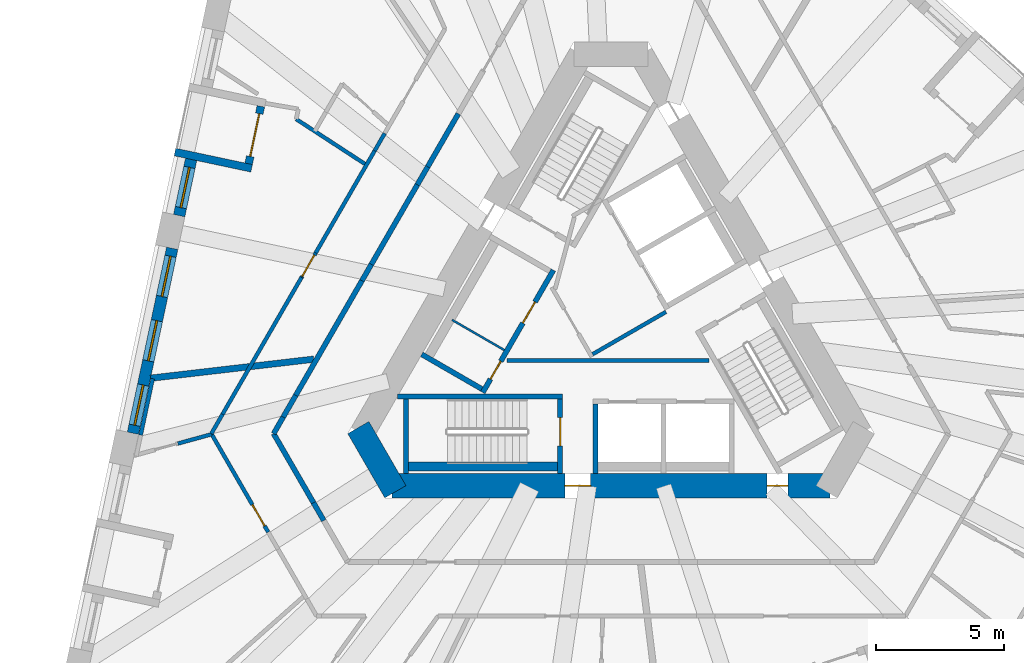
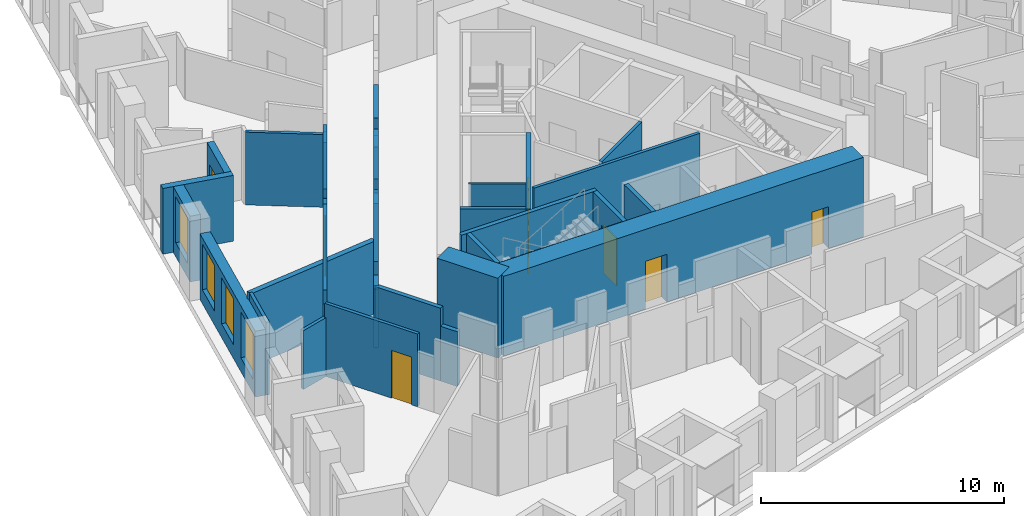
# One storey, part 4 of 13: 35 walls, 8 doors, 4 windows, 12 openings.
"""IFC4 building model written with IfcOpenShell, lengths in metres."""

from ifc_helpers import new_model, si_unit, direction, frame, frame_2d, origin, place, context, subcontext, project, spatial, polyline, rectangle, outline, extrude, material, layer, layer_set, type_object, element, fill, save


model = new_model("IFC4")

# Units and contexts
model_context = context("Model", 3, precision=1e-05, world=origin(), true_north=direction((0.0, 1.0)))
body_context = subcontext(model_context, "Body", "Model", "MODEL_VIEW")
ifc_project = project(units=[si_unit("LENGTHUNIT", "METRE"), si_unit("AREAUNIT", "SQUARE_METRE"), si_unit("VOLUMEUNIT", "CUBIC_METRE"), si_unit("PLANEANGLEUNIT", "RADIAN"), si_unit("MASSUNIT", "GRAM", prefix="KILO")], contexts=[model_context])

# Site, building, storey
site_placement = place(None, origin())
site = spatial("IfcSite", under=ifc_project, at=site_placement, CompositionType="ELEMENT")
building_placement = place(site_placement, origin())
building = spatial("IfcBuilding", under=site, at=building_placement, Name="Tramontana Tower", CompositionType="ELEMENT")
storey_placement = place(building_placement, frame((0.0, 0.0, 108.39990234375)))
storey = spatial("IfcBuildingStorey", under=building, at=storey_placement, Name="L24", CompositionType="ELEMENT", Elevation=108.39990234375)

# Wall
ifc_material_1 = material(Name="Concrete 70 MPa", Category="concrete")
ifc_layer_1 = layer(ifc_material_1, 0.949951171875)
ifc_layer_set_1 = layer_set([ifc_layer_1], Name="Core wall 950 70 MPa")
wall_type_1 = type_object("IfcWallType", Name="Core wall 950 70 MPa", PredefinedType="SHEAR", material=ifc_layer_set_1)
wall_1_placement = place(storey_placement, frame((-9.836669921875, -4.012451171875, 0.0), z_axis=(0.0, 0.0, 1.0), x_axis=(0.499995765644, -0.866027848477, 0.0)))
element("IfcWall", 1, at=wall_1_placement, inside=storey, type_object=wall_type_1, Name="Core wall C2 L24", PredefinedType="SHEAR", context=body_context, shape_type="SweptSolid", body=[
    extrude(rectangle(XDim=2.88671875, YDim=0.949951171875, at=frame_2d((1.443359375, 0.0))), origin(), (0.0, 0.0, 1.0), 4.0),
])

# Wall, openings, doors
wall_2_placement = place(storey_placement, frame((-8.530517578125, -6.27490234375, 0.0), z_axis=(0.0, 0.0, 1.0), x_axis=(1.0, 0.0, 0.0)))
wall_2 = element("IfcWall", 2, at=wall_2_placement, inside=storey, type_object=wall_type_1, Name="Core wall C3 L24", PredefinedType="SHEAR", context=body_context, shape_type="SweptSolid", body=[
    extrude(rectangle(XDim=17.06103515625, YDim=0.949951171875, at=frame_2d((8.530517578125, 0.0))), origin(), (0.0, 0.0, 1.0), 4.0),
])
opening_1_placement = place(wall_2_placement, frame((6.7353515625, 0.0, 0.0)))
opening_1 = element("IfcOpeningElement", 3, at=opening_1_placement, cuts=wall_2, Name="Opening RG2", PredefinedType="OPENING", context=body_context, shape_type="SweptSolid", body=[
    extrude(rectangle(XDim=1.0, YDim=2.39990234375, at=frame_2d((0.5, 1.199951171875))), frame((0.0, 0.48486328125, 0.0), z_axis=(0.0, -1.0, 0.0), x_axis=(1.0, 0.0, 0.0)), (0.0, 0.0, 1.0), 0.969970703125),
])
opening_2_placement = place(wall_2_placement, frame((14.61279296875, 0.0, 0.0)))
opening_2 = element("IfcOpeningElement", 4, at=opening_2_placement, cuts=wall_2, Name="Opening PD2", PredefinedType="OPENING", context=body_context, shape_type="SweptSolid", body=[
    extrude(rectangle(XDim=0.800048828125, YDim=2.10009765625, at=frame_2d((0.39990234375, 1.050048828125))), frame((0.0, 0.48486328125, 0.0), z_axis=(0.0, -1.0, 0.0), x_axis=(1.0, 0.0, 0.0)), (0.0, 0.0, 1.0), 0.969970703125),
])
ifc_material_2 = material(Name="Painted steel", Category="steel")
door_type_1 = type_object("IfcDoorType", Name="CUPBOARD DOOR 800", OperationType="SINGLE_SWING_LEFT", PredefinedType="DOOR", material=ifc_material_2)
door_1_placement = place(opening_2_placement, origin())
door_1 = element("IfcDoor", 5, at=door_1_placement, inside=storey, type_object=door_type_1, Name="Door PD2", OperationType="SINGLE_SWING_LEFT", OverallHeight=2.10009765625, OverallWidth=0.800048828125, PredefinedType="DOOR", context=body_context, shape_type="SweptSolid", body=[
    extrude(rectangle(XDim=0.800048828125, YDim=2.10009765625, at=frame_2d((0.39990234375, 1.050048828125))), frame((0.0, 0.02490234375, 0.0), z_axis=(0.0, -1.0, 0.0), x_axis=(1.0, 0.0, 0.0)), (0.0, 0.0, 1.0), 0.050048828125),
])
fill(opening_2, door_1)
ifc_material_3 = material(Name="Painted steel", Category="steel")
door_type_2 = type_object("IfcDoorType", Name="RING DOOR 1000", OperationType="SINGLE_SWING_LEFT", PredefinedType="DOOR", material=ifc_material_3)
door_2_placement = place(opening_1_placement, origin())
door_2 = element("IfcDoor", 6, at=door_2_placement, inside=storey, type_object=door_type_2, Name="Door RG2", OperationType="SINGLE_SWING_LEFT", OverallHeight=2.39990234375, OverallWidth=1.0, PredefinedType="DOOR", context=body_context, shape_type="SweptSolid", body=[
    extrude(rectangle(XDim=1.0, YDim=2.39990234375, at=frame_2d((0.5, 1.199951171875))), frame((0.0, 0.02490234375, 0.0), z_axis=(0.0, -1.0, 0.0), x_axis=(1.0, 0.0, 0.0)), (0.0, 0.0, 1.0), 0.050048828125),
])
fill(opening_1, door_2)

# Walls
ifc_material_4 = material(Name="Blockwork", Category="masonry")
ifc_layer_2 = layer(ifc_material_4, 0.199951171875)
ifc_layer_set_2 = layer_set([ifc_layer_2], Name="ENTRY WALL 200")
wall_type_2 = type_object("IfcWallType", Name="ENTRY WALL 200", PredefinedType="SOLIDWALL", material=ifc_layer_set_2)
wall_3_placement = place(storey_placement, frame((-11.181884765625, -7.63232421875, 0.0), z_axis=(0.0, 0.0, 1.0), x_axis=(-0.499942357345, 0.866058681229, 0.0)))
element("IfcWall", 7, at=wall_3_placement, inside=storey, type_object=wall_type_2, Name="Wall v21-ew3-2", PredefinedType="SOLIDWALL", context=body_context, shape_type="SweptSolid", body=[
    extrude(rectangle(XDim=0.80078125, YDim=0.199951171875, at=frame_2d((0.400390625, 0.0))), origin(), (0.0, 0.0, 1.0), 2.75),
])
wall_4_placement = place(storey_placement, frame((-11.582275390625, -6.938720703125, 0.0), z_axis=(0.0, 0.0, 1.0), x_axis=(-0.500037831766, 0.866003560503, 0.0)))
element("IfcWall", 8, at=wall_4_placement, inside=storey, type_object=wall_type_2, Name="Wall v21-ew3-3", PredefinedType="SOLIDWALL", context=body_context, shape_type="SweptSolid", body=[
    extrude(rectangle(XDim=3.104736328125, YDim=0.199951171875, at=frame_2d((1.55224609375, 0.0))), origin(), (0.0, 0.0, 1.0), 3.650146484375),
])
wall_5_placement = place(storey_placement, frame((-13.134765625, -4.25, 0.0), z_axis=(0.0, 0.0, 1.0), x_axis=(0.499987686533, 0.866032512851, 0.0)))
element("IfcWall", 9, at=wall_5_placement, inside=storey, type_object=wall_type_2, Name="Wall v21-ew4-0", PredefinedType="SOLIDWALL", context=body_context, shape_type="SweptSolid", body=[
    extrude(rectangle(XDim=0.74365234375, YDim=0.199951171875, at=frame_2d((0.371826171875, 0.0))), origin(), (0.0, 0.0, 1.0), 3.650146484375),
])
wall_6_placement = place(storey_placement, frame((-12.762939453125, -3.60595703125, 0.0), z_axis=(0.0, 0.0, 1.0), x_axis=(0.500061185694, 0.865990075325, 0.0)))
element("IfcWall", 10, at=wall_6_placement, inside=storey, type_object=wall_type_2, Name="Wall v21-ew4-1", PredefinedType="SOLIDWALL", context=body_context, shape_type="SweptSolid", body=[
    extrude(rectangle(XDim=0.9775390625, YDim=0.199951171875, at=frame_2d((0.48876953125, 0.0))), origin(), (0.0, 0.0, 1.0), 2.9501953125),
])
wall_7_placement = place(storey_placement, frame((-12.274169921875, -2.759521484375, 0.0), z_axis=(0.0, 0.0, 1.0), x_axis=(0.500001317485, 0.866024643133, 0.0)))
element("IfcWall", 11, at=wall_7_placement, inside=storey, type_object=wall_type_2, Name="Wall v21-ew4-2", PredefinedType="SOLIDWALL", context=body_context, shape_type="SweptSolid", body=[
    extrude(rectangle(XDim=5.1533203125, YDim=0.199951171875, at=frame_2d((2.57666015625, 0.0))), origin(), (0.0, 0.0, 1.0), 3.650146484375),
])
wall_8_placement = place(storey_placement, frame((-9.697509765625, 1.703369140625, 0.0), z_axis=(0.0, 0.0, 1.0), x_axis=(0.499885169746, 0.866091690913, 0.0)))
element("IfcWall", 12, at=wall_8_placement, inside=storey, type_object=wall_type_2, Name="Wall v21-ew4-3", PredefinedType="SOLIDWALL", context=body_context, shape_type="SweptSolid", body=[
    extrude(rectangle(XDim=0.736083984375, YDim=0.199951171875, at=frame_2d((0.3681640625, 0.0))), origin(), (0.0, 0.0, 1.0), 2.9501953125),
])
wall_9_placement = place(storey_placement, frame((-9.32958984375, 2.3408203125, 0.0), z_axis=(0.0, 0.0, 1.0), x_axis=(0.500029679218, 0.866008267802, 0.0)))
element("IfcWall", 13, at=wall_9_placement, inside=storey, type_object=wall_type_2, Name="Wall v21-ew4-4", PredefinedType="SOLIDWALL", context=body_context, shape_type="SweptSolid", body=[
    extrude(rectangle(XDim=3.576904296875, YDim=0.199951171875, at=frame_2d((1.78857421875, 0.0))), origin(), (0.0, 0.0, 1.0), 3.650146484375),
])
wall_10_placement = place(storey_placement, frame((-7.541015625, 5.4384765625, 0.0), z_axis=(0.0, 0.0, 1.0), x_axis=(0.499809598504, 0.866135304236, 0.0)))
element("IfcWall", 14, at=wall_10_placement, inside=storey, type_object=wall_type_2, Name="Wall v21-ew4-5", PredefinedType="SOLIDWALL", context=body_context, shape_type="SweptSolid", body=[
    extrude(rectangle(XDim=0.808349609375, YDim=0.199951171875, at=frame_2d((0.404296875, 0.0))), origin(), (0.0, 0.0, 1.0), 2.75),
])
wall_11_placement = place(storey_placement, frame((-7.136962890625, 6.138671875, 0.0), z_axis=(0.0, 0.0, 1.0), x_axis=(0.500035462246, 0.866004928679, 0.0)))
element("IfcWall", 15, at=wall_11_placement, inside=storey, type_object=wall_type_2, Name="Wall v21-ew4-6", PredefinedType="SOLIDWALL", context=body_context, shape_type="SweptSolid", body=[
    extrude(rectangle(XDim=2.385498046875, YDim=0.199951171875, at=frame_2d((1.19287109375, 0.0))), origin(), (0.0, 0.0, 1.0), 3.650146484375),
])

# Wall, opening, window
ifc_material_5 = material(Name="Precast concrete 60 MPa", Category="concrete")
ifc_layer_3 = layer(ifc_material_5, 0.449951171875)
ifc_layer_set_3 = layer_set([ifc_layer_3], Name="Precast concrete 60 MPa, 450 mm")
wall_type_3 = type_object("IfcWallType", Name="EW1 Stone-faced precast wall 450", PredefinedType="SOLIDWALL", material=ifc_layer_set_3)
wall_12_placement = place(storey_placement, frame((-16.34619140625, 6.42578125, 0.0), z_axis=(0.0, 0.0, 1.0), x_axis=(-0.207918801611, -0.978146089261, 0.0)))
wall_12 = element("IfcWall", 16, at=wall_12_placement, inside=storey, type_object=wall_type_3, Name="External wall L24 face 0 bay 3", PredefinedType="SOLIDWALL", context=body_context, shape_type="SweptSolid", body=[
    extrude(rectangle(XDim=2.23681640625, YDim=0.449951171875, at=frame_2d((1.118408203125, 0.0))), origin(), (0.0, 0.0, 1.0), 3.300048828125),
])
opening_3_placement = place(wall_12_placement, frame((0.318359375, 0.0, 0.699951171875)))
opening_3 = element("IfcOpeningElement", 17, at=opening_3_placement, cuts=wall_12, Name="Opening M1", PredefinedType="OPENING", context=body_context, shape_type="SweptSolid", body=[
    extrude(rectangle(XDim=1.60009765625, YDim=2.300048828125, at=frame_2d((0.800048828125, 1.14990234375))), frame((0.0, 0.23486328125, 0.0), z_axis=(0.0, -1.0, 0.0), x_axis=(1.0, 0.0, 0.0)), (0.0, 0.0, 1.0), 0.469970703125),
])
ifc_material_6 = material(Name="Aluminum frame, double glazing unit", Category="aluminium")
window_type = type_object("IfcWindowType", Name="M1 Window 1.6 x 2.3", PartitioningType="SINGLE_PANEL", PredefinedType="WINDOW", material=ifc_material_6)
window_1_placement = place(opening_3_placement, origin())
window_1 = element("IfcWindow", 18, at=window_1_placement, inside=storey, type_object=window_type, Name="Window M1 L24 face 0 module 9", OverallHeight=2.300048828125, OverallWidth=1.60009765625, PartitioningType="SINGLE_PANEL", PredefinedType="WINDOW", context=body_context, shape_type="SweptSolid", body=[
    extrude(rectangle(XDim=1.60009765625, YDim=2.300048828125, at=frame_2d((0.800048828125, 1.14990234375))), frame((0.0, 0.030029296875, 0.0), z_axis=(0.0, -1.0, 0.0), x_axis=(1.0, 0.0, 0.0)), (0.0, 0.0, 1.0), 0.06005859375),
])
fill(opening_3, window_1)

# Wall, openings, windows
wall_13_placement = place(storey_placement, frame((-17.08154296875, 2.96630859375, 0.0), z_axis=(0.0, 0.0, 1.0), x_axis=(-0.207909137741, -0.978148143403, 0.0)))
wall_13 = element("IfcWall", 19, at=wall_13_placement, inside=storey, type_object=wall_type_3, Name="External wall L24 face 0 bay 4", PredefinedType="SOLIDWALL", context=body_context, shape_type="SweptSolid", body=[
    extrude(rectangle(XDim=7.3603515625, YDim=0.449951171875, at=frame_2d((3.68017578125, 0.0))), origin(), (0.0, 0.0, 1.0), 3.300048828125),
])
opening_4_placement = place(wall_13_placement, frame((0.318359375, 0.0, 0.699951171875)))
opening_4 = element("IfcOpeningElement", 20, at=opening_4_placement, cuts=wall_13, Name="Opening M1", PredefinedType="OPENING", context=body_context, shape_type="SweptSolid", body=[
    extrude(rectangle(XDim=1.60009765625, YDim=2.300048828125, at=frame_2d((0.800048828125, 1.14990234375))), frame((0.0, 0.23486328125, 0.0), z_axis=(0.0, -1.0, 0.0), x_axis=(1.0, 0.0, 0.0)), (0.0, 0.0, 1.0), 0.469970703125),
])
opening_5_placement = place(wall_13_placement, frame((2.880126953125, 0.0, 0.699951171875)))
opening_5 = element("IfcOpeningElement", 21, at=opening_5_placement, cuts=wall_13, Name="Opening M1", PredefinedType="OPENING", context=body_context, shape_type="SweptSolid", body=[
    extrude(rectangle(XDim=1.60009765625, YDim=2.300048828125, at=frame_2d((0.800048828125, 1.14990234375))), frame((0.0, 0.23486328125, 0.0), z_axis=(0.0, -1.0, 0.0), x_axis=(1.0, 0.0, 0.0)), (0.0, 0.0, 1.0), 0.469970703125),
])
opening_6_placement = place(wall_13_placement, frame((5.44189453125, 0.0, 0.699951171875)))
opening_6 = element("IfcOpeningElement", 22, at=opening_6_placement, cuts=wall_13, Name="Opening M1", PredefinedType="OPENING", context=body_context, shape_type="SweptSolid", body=[
    extrude(rectangle(XDim=1.60009765625, YDim=2.300048828125, at=frame_2d((0.800048828125, 1.14990234375))), frame((0.0, 0.23486328125, 0.0), z_axis=(0.0, -1.0, 0.0), x_axis=(1.0, 0.0, 0.0)), (0.0, 0.0, 1.0), 0.469970703125),
])
window_2_placement = place(opening_4_placement, origin())
window_2 = element("IfcWindow", 23, at=window_2_placement, inside=storey, type_object=window_type, Name="Window M1 L24 face 0 module 10", OverallHeight=2.300048828125, OverallWidth=1.60009765625, PartitioningType="SINGLE_PANEL", PredefinedType="WINDOW", context=body_context, shape_type="SweptSolid", body=[
    extrude(rectangle(XDim=1.60009765625, YDim=2.300048828125, at=frame_2d((0.800048828125, 1.14990234375))), frame((0.0, 0.030029296875, 0.0), z_axis=(0.0, -1.0, 0.0), x_axis=(1.0, 0.0, 0.0)), (0.0, 0.0, 1.0), 0.06005859375),
])
fill(opening_4, window_2)
window_3_placement = place(opening_5_placement, origin())
window_3 = element("IfcWindow", 24, at=window_3_placement, inside=storey, type_object=window_type, Name="Window M1 L24 face 0 module 11", OverallHeight=2.300048828125, OverallWidth=1.60009765625, PartitioningType="SINGLE_PANEL", PredefinedType="WINDOW", context=body_context, shape_type="SweptSolid", body=[
    extrude(rectangle(XDim=1.60009765625, YDim=2.300048828125, at=frame_2d((0.800048828125, 1.14990234375))), frame((0.0, 0.030029296875, 0.0), z_axis=(0.0, -1.0, 0.0), x_axis=(1.0, 0.0, 0.0)), (0.0, 0.0, 1.0), 0.06005859375),
])
fill(opening_5, window_3)
window_4_placement = place(opening_6_placement, origin())
window_4 = element("IfcWindow", 25, at=window_4_placement, inside=storey, type_object=window_type, Name="Window M1 L24 face 0 module 12", OverallHeight=2.300048828125, OverallWidth=1.60009765625, PartitioningType="SINGLE_PANEL", PredefinedType="WINDOW", context=body_context, shape_type="SweptSolid", body=[
    extrude(rectangle(XDim=1.60009765625, YDim=2.300048828125, at=frame_2d((0.800048828125, 1.14990234375))), frame((0.0, 0.030029296875, 0.0), z_axis=(0.0, -1.0, 0.0), x_axis=(1.0, 0.0, 0.0)), (0.0, 0.0, 1.0), 0.06005859375),
])
fill(opening_6, window_4)

# Wall, opening, door
ifc_material_7 = material(Name="Precast concrete 60 MPa", Category="concrete")
ifc_layer_4 = layer(ifc_material_7, 0.300048828125)
ifc_layer_set_4 = layer_set([ifc_layer_4], Name="LW1 Stone-faced loggia wall 300")
wall_type_4 = type_object("IfcWallType", Name="LW1 Stone-faced loggia wall 300", PredefinedType="SOLIDWALL", material=ifc_layer_set_4)
wall_14_placement = place(storey_placement, frame((-13.632080078125, 8.493408203125, 0.0), z_axis=(0.0, 0.0, 1.0), x_axis=(-0.207866417042, -0.978157222877, 0.0)))
wall_14 = element("IfcWall", 26, at=wall_14_placement, inside=storey, type_object=wall_type_4, Name="Loggia wall L24 G2S0.7", PredefinedType="SOLIDWALL", context=body_context, shape_type="SweptSolid", body=[
    extrude(rectangle(XDim=2.286865234375, YDim=0.300048828125, at=frame_2d((1.1435546875, 0.0))), origin(), (0.0, 0.0, 1.0), 3.300048828125),
])
opening_7_placement = place(wall_14_placement, frame((0.29345703125, 0.0, 0.0)))
opening_7 = element("IfcOpeningElement", 27, at=opening_7_placement, cuts=wall_14, Name="Opening BD-2S0-07", PredefinedType="OPENING", context=body_context, shape_type="SweptSolid", body=[
    extrude(rectangle(XDim=1.699951171875, YDim=2.39990234375, at=frame_2d((0.85009765625, 1.199951171875))), frame((0.0, 0.159912109375, 0.0), z_axis=(0.0, -1.0, 0.0), x_axis=(1.0, 0.0, 0.0)), (0.0, 0.0, 1.0), 0.320068359375),
])
ifc_material_8 = material(Name="Aluminum frame, double glazing unit", Category="aluminium")
door_type_3 = type_object("IfcDoorType", Name="BD1 Sliding door 1.7 x 2.4", OperationType="SLIDING_TO_LEFT", PredefinedType="DOOR", material=ifc_material_8)
door_3_placement = place(opening_7_placement, origin())
door_3 = element("IfcDoor", 28, at=door_3_placement, inside=storey, type_object=door_type_3, Name="Loggia door L24 G2S0.7", OperationType="SLIDING_TO_LEFT", OverallHeight=2.39990234375, OverallWidth=1.699951171875, PredefinedType="DOOR", context=body_context, shape_type="SweptSolid", body=[
    extrude(rectangle(XDim=1.699951171875, YDim=2.39990234375, at=frame_2d((0.85009765625, 1.199951171875))), frame((0.0, 0.02490234375, 0.0), z_axis=(0.0, -1.0, 0.0), x_axis=(1.0, 0.0, 0.0)), (0.0, 0.0, 1.0), 0.050048828125),
])
fill(opening_7, door_3)

# Walls
wall_15_placement = place(storey_placement, frame((-16.975341796875, 6.712890625, 0.0), z_axis=(0.0, 0.0, 1.0), x_axis=(0.978138503145, -0.207954487003, 0.0)))
element("IfcWall", 29, at=wall_15_placement, inside=storey, type_object=wall_type_4, Name="Loggia return L24 G2S0.7b", PredefinedType="SOLIDWALL", context=body_context, shape_type="SweptSolid", body=[
    extrude(rectangle(XDim=3.050048828125, YDim=0.300048828125, at=frame_2d((1.52490234375, 0.0))), origin(), (0.0, 0.0, 1.0), 3.300048828125),
])
ifc_material_9 = material(Name="Gypsum board partition")
ifc_layer_5 = layer(ifc_material_9, 0.14990234375)
ifc_layer_set_5 = layer_set([ifc_layer_5], Name="PARTITION 150")
wall_type_5 = type_object("IfcWallType", Name="PARTITION 150", PredefinedType="PARTITIONING", material=ifc_layer_set_5)
wall_16_placement = place(storey_placement, frame((-0.716796875, -1.15869140625, 0.0), z_axis=(0.0, 0.0, 1.0), x_axis=(0.866008176907, 0.50002983664, 0.0)))
element("IfcWall", 30, at=wall_16_placement, inside=storey, type_object=wall_type_5, Name="Wall ff-end0", PredefinedType="PARTITIONING", context=body_context, shape_type="SweptSolid", body=[
    extrude(rectangle(XDim=3.300048828125, YDim=0.14990234375, at=frame_2d((1.64990234375, 0.0))), origin(), (0.0, 0.0, 1.0), 3.650146484375),
])
wall_17_placement = place(storey_placement, frame((-4.053466796875, -1.39990234375, 0.0), z_axis=(0.0, 0.0, 1.0), x_axis=(1.0, 0.0, 0.0)))
element("IfcWall", 31, at=wall_17_placement, inside=storey, type_object=wall_type_5, Name="Wall hub-cut1", PredefinedType="PARTITIONING", context=body_context, shape_type="SweptSolid", body=[
    extrude(rectangle(XDim=7.8759765625, YDim=0.14990234375, at=frame_2d((3.93798828125, 0.0))), origin(), (0.0, 0.0, 1.0), 3.650146484375),
])
wall_18_placement = place(storey_placement, frame((-18.310546875, -4.30712890625, 0.0), z_axis=(0.0, 0.0, 1.0), x_axis=(0.207888648925, 0.978152498156, 0.0)))
element("IfcWall", 32, at=wall_18_placement, inside=storey, type_object=wall_type_5, Name="Wall v21-pw01-1", PredefinedType="PARTITIONING", context=body_context, shape_type="SweptSolid", body=[
    extrude(rectangle(XDim=2.24658203125, YDim=0.14990234375, at=frame_2d((1.123291015625, 0.0))), origin(), (0.0, 0.0, 1.0), 3.650146484375),
])
wall_19_placement = place(storey_placement, frame((-15.5595703125, -4.25, 0.0), z_axis=(0.0, 0.0, 1.0), x_axis=(0.499884524299, 0.866092063448, 0.0)))
element("IfcWall", 33, at=wall_19_placement, inside=storey, type_object=wall_type_5, Name="Wall v21-pw02-0", PredefinedType="PARTITIONING", context=body_context, shape_type="SweptSolid", body=[
    extrude(rectangle(XDim=0.869384765625, YDim=0.14990234375, at=frame_2d((0.4345703125, 0.0))), origin(), (0.0, 0.0, 1.0), 2.9501953125),
])
wall_20_placement = place(storey_placement, frame((-15.125, -3.4970703125, 0.0), z_axis=(0.0, 0.0, 1.0), x_axis=(0.50000522762, 0.866022385595, 0.0)))
element("IfcWall", 34, at=wall_20_placement, inside=storey, type_object=wall_type_5, Name="Wall v21-pw02-1", PredefinedType="PARTITIONING", context=body_context, shape_type="SweptSolid", body=[
    extrude(rectangle(XDim=6.1533203125, YDim=0.14990234375, at=frame_2d((3.07666015625, 0.0))), origin(), (0.0, 0.0, 1.0), 3.650146484375),
])

# Wall, opening, door
wall_21_placement = place(storey_placement, frame((-12.04833984375, 1.831787109375, 0.0), z_axis=(0.0, 0.0, 1.0), x_axis=(0.500060373128, 0.865990544537, 0.0)))
wall_21 = element("IfcWall", 35, at=wall_21_placement, inside=storey, type_object=wall_type_5, Name="Wall v21-pw02-2", PredefinedType="PARTITIONING", context=body_context, shape_type="SweptSolid", body=[
    extrude(outline(polyline([(0.0, 0.0), (1.104736328125, 0.0), (1.10498046875, 2.9501953125), (0.395263671875, 2.9501953125), (0.395263671875, 3.650146484375), (0.0, 3.650146484375), (0.0, 0.0)])), frame((0.0, 0.074951171875, 0.0), z_axis=(0.0, -1.0, 0.0), x_axis=(1.0, 0.0, 0.0)), (0.0, 0.0, 1.0), 0.14990234375),
])
opening_8_placement = place(wall_21_placement, frame((0.050048828125, 0.0, 0.0)))
opening_8 = element("IfcOpeningElement", 36, at=opening_8_placement, cuts=wall_21, Name="Opening B2B-07", PredefinedType="OPENING", context=body_context, shape_type="SweptSolid", body=[
    extrude(rectangle(XDim=0.949951171875, YDim=2.39990234375, at=frame_2d((0.47509765625, 1.199951171875))), frame((0.0, 0.0849609375, 0.0), z_axis=(0.0, -1.0, 0.0), x_axis=(1.0, 0.0, 0.0)), (0.0, 0.0, 1.0), 0.169921875),
])
ifc_material_10 = material(Name="Painted timber", Category="wood")
door_type_4 = type_object("IfcDoorType", Name="DOOR ROOM 950", OperationType="SINGLE_SWING_LEFT", PredefinedType="DOOR", material=ifc_material_10)
door_4_placement = place(opening_8_placement, origin())
door_4 = element("IfcDoor", 37, at=door_4_placement, inside=storey, type_object=door_type_4, Name="Door B2B-07", OperationType="SINGLE_SWING_LEFT", OverallHeight=2.39990234375, OverallWidth=0.949951171875, PredefinedType="DOOR", context=body_context, shape_type="SweptSolid", body=[
    extrude(rectangle(XDim=0.949951171875, YDim=2.39990234375, at=frame_2d((0.47509765625, 1.199951171875))), frame((0.0, 0.02490234375, 0.0), z_axis=(0.0, -1.0, 0.0), x_axis=(1.0, 0.0, 0.0)), (0.0, 0.0, 1.0), 0.050048828125),
])
fill(opening_8, door_4)

# Walls
wall_22_placement = place(storey_placement, frame((-11.495849609375, 2.78857421875, 0.0), z_axis=(0.0, 0.0, 1.0), x_axis=(0.499983361514, 0.866035009806, 0.0)))
element("IfcWall", 38, at=wall_22_placement, inside=storey, type_object=wall_type_5, Name="Wall v21-pw02-3", PredefinedType="PARTITIONING", context=body_context, shape_type="SweptSolid", body=[
    extrude(rectangle(XDim=4.590087890625, YDim=0.14990234375, at=frame_2d((2.294921875, 0.0))), origin(), (0.0, 0.0, 1.0), 3.650146484375),
])
wall_23_placement = place(storey_placement, frame((-9.200927734375, 6.763671875, 0.0), z_axis=(0.0, 0.0, 1.0), x_axis=(0.500028278809, 0.866009076391, 0.0)))
element("IfcWall", 39, at=wall_23_placement, inside=storey, type_object=wall_type_5, Name="Wall v21-pw02-4", PredefinedType="PARTITIONING", context=body_context, shape_type="SweptSolid", body=[
    extrude(rectangle(XDim=0.783203125, YDim=0.14990234375, at=frame_2d((0.3916015625, 0.0))), origin(), (0.0, 0.0, 1.0), 2.75),
])
wall_24_placement = place(storey_placement, frame((-15.546142578125, -4.2734375, 0.0), z_axis=(0.0, 0.0, 1.0), x_axis=(-0.964199670379, -0.265177290962, 0.0)))
element("IfcWall", 40, at=wall_24_placement, inside=storey, type_object=wall_type_5, Name="Wall v21-pw03-0", PredefinedType="PARTITIONING", context=body_context, shape_type="SweptSolid", body=[
    extrude(rectangle(XDim=1.363525390625, YDim=0.14990234375, at=frame_2d((0.681640625, 0.0))), origin(), (0.0, 0.0, 1.0), 2.9501953125),
])

# Wall, opening, door
wall_25_placement = place(storey_placement, frame((-13.3466796875, -8.0830078125, 0.0), z_axis=(0.0, 0.0, 1.0), x_axis=(-0.500001098885, 0.866024769342, 0.0)))
wall_25 = element("IfcWall", 41, at=wall_25_placement, inside=storey, type_object=wall_type_5, Name="Wall v21-pw12-3", PredefinedType="PARTITIONING", context=body_context, shape_type="SweptSolid", body=[
    extrude(rectangle(XDim=4.39892578125, YDim=0.14990234375, at=frame_2d((2.199462890625, 0.0))), origin(), (0.0, 0.0, 1.0), 3.650146484375),
])
opening_9_placement = place(wall_25_placement, frame((0.278564453125, 0.0, 0.0)))
opening_9 = element("IfcOpeningElement", 42, at=opening_9_placement, cuts=wall_25, Name="Opening B2B-13", PredefinedType="OPENING", context=body_context, shape_type="SweptSolid", body=[
    extrude(rectangle(XDim=0.949951171875, YDim=2.39990234375, at=frame_2d((0.47509765625, 1.199951171875))), frame((0.0, 0.0849609375, 0.0), z_axis=(0.0, -1.0, 0.0), x_axis=(1.0, 0.0, 0.0)), (0.0, 0.0, 1.0), 0.169921875),
])
door_5_placement = place(opening_9_placement, origin())
door_5 = element("IfcDoor", 43, at=door_5_placement, inside=storey, type_object=door_type_4, Name="Door B2B-13", OperationType="SINGLE_SWING_LEFT", OverallHeight=2.39990234375, OverallWidth=0.949951171875, PredefinedType="DOOR", context=body_context, shape_type="SweptSolid", body=[
    extrude(rectangle(XDim=0.949951171875, YDim=2.39990234375, at=frame_2d((0.47509765625, 1.199951171875))), frame((0.0, 0.02490234375, 0.0), z_axis=(0.0, -1.0, 0.0), x_axis=(1.0, 0.0, 0.0)), (0.0, 0.0, 1.0), 0.050048828125),
])
fill(opening_9, door_5)

# Walls
wall_26_placement = place(storey_placement, frame((-9.583251953125, 6.251220703125, 0.0), z_axis=(0.0, 0.0, 1.0), x_axis=(-0.837599940558, 0.546284119829, 0.0)))
element("IfcWall", 44, at=wall_26_placement, inside=storey, type_object=wall_type_5, Name="Wall v21-pw17", PredefinedType="PARTITIONING", context=body_context, shape_type="SweptSolid", body=[
    extrude(rectangle(XDim=3.1904296875, YDim=0.14990234375, at=frame_2d((1.59521484375, 0.0))), origin(), (0.0, 0.0, 1.0), 3.650146484375),
])
ifc_material_11 = material(Name="Gypsum board partition")
ifc_layer_6 = layer(ifc_material_11, 0.080078125)
ifc_layer_set_6 = layer_set([ifc_layer_6], Name="PARTITION 80")
wall_type_6 = type_object("IfcWallType", Name="PARTITION 80", PredefinedType="PARTITIONING", material=ifc_layer_set_6)
wall_27_placement = place(storey_placement, frame((-4.15478515625, -0.99609375, 0.0), z_axis=(0.0, 0.0, 1.0), x_axis=(-0.866016039709, 0.500016218704, 0.0)))
element("IfcWall", 45, at=wall_27_placement, inside=storey, type_object=wall_type_6, Name="Wall row0-split", PredefinedType="PARTITIONING", context=body_context, shape_type="SweptSolid", body=[
    extrude(rectangle(XDim=2.35009765625, YDim=0.080078125, at=frame_2d((1.175048828125, 0.0))), origin(), (0.0, 0.0, 1.0), 3.650146484375),
])
ifc_material_12 = material(Name="Blockwork", Category="masonry")
ifc_layer_7 = layer(ifc_material_12, 0.25)
ifc_layer_set_7 = layer_set([ifc_layer_7], Name="PARTY WALL 250")
wall_type_7 = type_object("IfcWallType", Name="PARTY WALL 250", PredefinedType="SOLIDWALL", material=ifc_layer_set_7)
wall_28_placement = place(storey_placement, frame((-11.576416015625, -1.35107421875, 0.0), z_axis=(0.0, 0.0, 1.0), x_axis=(-0.993261454143, -0.11589514103, 0.0)))
element("IfcWall", 46, at=wall_28_placement, inside=storey, type_object=wall_type_7, Name="Wall v21-pw10", PredefinedType="SOLIDWALL", context=body_context, shape_type="SweptSolid", body=[
    extrude(rectangle(XDim=6.393310546875, YDim=0.25, at=frame_2d((3.19677734375, 0.0))), origin(), (0.0, 0.0, 1.0), 3.650146484375),
])
ifc_material_13 = material(Name="Concrete 70 MPa", Category="concrete")
ifc_layer_8 = layer(ifc_material_13, 0.35009765625)
ifc_layer_set_8 = layer_set([ifc_layer_8], Name="Concrete 70 MPa, 350 mm")
wall_type_8 = type_object("IfcWallType", Name="RC SHAFT BACK WALL 350", PredefinedType="SOLIDWALL", material=ifc_layer_set_8)
wall_29_placement = place(storey_placement, frame((-8.080078125, -5.52490234375, 0.0), z_axis=(0.0, 0.0, 1.0), x_axis=(1.0, 0.0, 0.0)))
element("IfcWall", 47, at=wall_29_placement, inside=storey, type_object=wall_type_8, Name="Wall st2-back", PredefinedType="SOLIDWALL", context=body_context, shape_type="SweptSolid", body=[
    extrude(rectangle(XDim=6.2001953125, YDim=0.35009765625, at=frame_2d((3.10009765625, 0.0))), origin(), (0.0, 0.0, 1.0), 3.650146484375),
])
ifc_material_14 = material(Name="Concrete 70 MPa", Category="concrete")
ifc_layer_9 = layer(ifc_material_14, 0.199951171875)
ifc_layer_set_9 = layer_set([ifc_layer_9], Name="Concrete 70 MPa, 200 mm")
wall_type_9 = type_object("IfcWallType", Name="RC STAIR AND SHAFT WALL 200", PredefinedType="SOLIDWALL", material=ifc_layer_set_9)
wall_30_placement = place(storey_placement, frame((-8.31396484375, -2.800048828125, 0.0), z_axis=(0.0, 0.0, 1.0), x_axis=(1.0, 0.0, 0.0)))
element("IfcWall", 48, at=wall_30_placement, inside=storey, type_object=wall_type_9, Name="Wall st2-front", PredefinedType="SOLIDWALL", context=body_context, shape_type="SweptSolid", body=[
    extrude(rectangle(XDim=6.43408203125, YDim=0.199951171875, at=frame_2d((3.217041015625, 0.0))), origin(), (0.0, 0.0, 1.0), 3.650146484375),
])
wall_31_placement = place(storey_placement, frame((-7.97998046875, -2.89990234375, 0.0), z_axis=(0.0, 0.0, 1.0), x_axis=(0.0, -1.0, 0.0)))
element("IfcWall", 49, at=wall_31_placement, inside=storey, type_object=wall_type_9, Name="Wall st2-far", PredefinedType="SOLIDWALL", context=body_context, shape_type="SweptSolid", body=[
    extrude(rectangle(XDim=2.900146484375, YDim=0.199951171875, at=frame_2d((1.4501953125, 0.0))), origin(), (0.0, 0.0, 1.0), 3.650146484375),
])

# Wall, opening, door
wall_32_placement = place(storey_placement, frame((-1.97998046875, -2.89990234375, 0.0), z_axis=(0.0, 0.0, 1.0), x_axis=(0.0, -1.0, 0.0)))
wall_32 = element("IfcWall", 50, at=wall_32_placement, inside=storey, type_object=wall_type_9, Name="Wall st2-near", PredefinedType="SOLIDWALL", context=body_context, shape_type="SweptSolid", body=[
    extrude(rectangle(XDim=2.900146484375, YDim=0.199951171875, at=frame_2d((1.4501953125, 0.0))), origin(), (0.0, 0.0, 1.0), 3.650146484375),
])
opening_10_placement = place(wall_32_placement, frame((0.72509765625, 0.0, 0.0)))
opening_10 = element("IfcOpeningElement", 51, at=opening_10_placement, cuts=wall_32, Name="Opening SD2", PredefinedType="OPENING", context=body_context, shape_type="SweptSolid", body=[
    extrude(rectangle(XDim=1.10009765625, YDim=2.39990234375, at=frame_2d((0.550048828125, 1.199951171875))), frame((0.0, 0.10986328125, 0.0), z_axis=(0.0, -1.0, 0.0), x_axis=(1.0, 0.0, 0.0)), (0.0, 0.0, 1.0), 0.219970703125),
])
ifc_material_15 = material(Name="Painted steel", Category="steel")
door_type_5 = type_object("IfcDoorType", Name="STAIR DOOR 1100", OperationType="SINGLE_SWING_LEFT", PredefinedType="DOOR", material=ifc_material_15)
door_6_placement = place(opening_10_placement, origin())
door_6 = element("IfcDoor", 52, at=door_6_placement, inside=storey, type_object=door_type_5, Name="Door SD2", OperationType="SINGLE_SWING_LEFT", OverallHeight=2.39990234375, OverallWidth=1.10009765625, PredefinedType="DOOR", context=body_context, shape_type="SweptSolid", body=[
    extrude(rectangle(XDim=1.10009765625, YDim=2.39990234375, at=frame_2d((0.550048828125, 1.199951171875))), frame((0.0, 0.02490234375, 0.0), z_axis=(0.0, -1.0, 0.0), x_axis=(1.0, 0.0, 0.0)), (0.0, 0.0, 1.0), 0.050048828125),
])
fill(opening_10, door_6)

# Wall, openings, doors
wall_33_placement = place(storey_placement, frame((-4.9931640625, -2.648193359375, 0.0), z_axis=(0.0, 0.0, 1.0), x_axis=(0.499996545922, 0.866027397988, 0.0)))
wall_33 = element("IfcWall", 53, at=wall_33_placement, inside=storey, type_object=wall_type_9, Name="Wall row0-front", PredefinedType="SOLIDWALL", context=body_context, shape_type="SweptSolid", body=[
    extrude(rectangle(XDim=5.5, YDim=0.199951171875, at=frame_2d((2.75, 0.0))), origin(), (0.0, 0.0, 1.0), 3.650146484375),
])
opening_11_placement = place(wall_33_placement, frame((3.1201171875, 0.0, 0.0)))
opening_11 = element("IfcOpeningElement", 54, at=opening_11_placement, cuts=wall_33, Name="Opening RD-0A", PredefinedType="OPENING", context=body_context, shape_type="SweptSolid", body=[
    extrude(rectangle(XDim=0.949951171875, YDim=2.39990234375, at=frame_2d((0.47509765625, 1.199951171875))), frame((0.0, 0.10986328125, 0.0), z_axis=(0.0, -1.0, 0.0), x_axis=(1.0, 0.0, 0.0)), (0.0, 0.0, 1.0), 0.219970703125),
])
opening_12_placement = place(wall_33_placement, frame((0.60498046875, 0.0, 0.0)))
opening_12 = element("IfcOpeningElement", 55, at=opening_12_placement, cuts=wall_33, Name="Opening RD-0B", PredefinedType="OPENING", context=body_context, shape_type="SweptSolid", body=[
    extrude(rectangle(XDim=0.800048828125, YDim=2.10009765625, at=frame_2d((0.39990234375, 1.050048828125))), frame((0.0, 0.10986328125, 0.0), z_axis=(0.0, -1.0, 0.0), x_axis=(1.0, 0.0, 0.0)), (0.0, 0.0, 1.0), 0.219970703125),
])
door_7_placement = place(opening_12_placement, origin())
door_7 = element("IfcDoor", 56, at=door_7_placement, inside=storey, type_object=door_type_1, Name="Door RD-0B", OperationType="SINGLE_SWING_RIGHT", OverallHeight=2.10009765625, OverallWidth=0.800048828125, PredefinedType="DOOR", context=body_context, shape_type="SweptSolid", body=[
    extrude(rectangle(XDim=0.800048828125, YDim=2.10009765625, at=frame_2d((0.39990234375, 1.050048828125))), frame((0.0, 0.02490234375, 0.0), z_axis=(0.0, -1.0, 0.0), x_axis=(1.0, 0.0, 0.0)), (0.0, 0.0, 1.0), 0.050048828125),
])
fill(opening_12, door_7)
door_8_placement = place(opening_11_placement, origin())
door_8 = element("IfcDoor", 57, at=door_8_placement, inside=storey, type_object=door_type_4, Name="Door RD-0A", OperationType="SINGLE_SWING_LEFT", OverallHeight=2.39990234375, OverallWidth=0.949951171875, PredefinedType="DOOR", context=body_context, shape_type="SweptSolid", body=[
    extrude(rectangle(XDim=0.949951171875, YDim=2.39990234375, at=frame_2d((0.47509765625, 1.199951171875))), frame((0.0, 0.02490234375, 0.0), z_axis=(0.0, -1.0, 0.0), x_axis=(1.0, 0.0, 0.0)), (0.0, 0.0, 1.0), 0.050048828125),
])
fill(opening_11, door_8)

# Walls
for number, where, z_axis, x_axis, name in (
    (58, (-5.02978515625, -2.51171875, 0.0), (0.0, 0.0, 1.0), (-0.86599734893, 0.500048589285, 0.0), "Wall row0-side2"),
    (59, (-0.610107421875, -3.10009765625, 0.0), (0.0, 0.0, 1.0), (0.0, -1.0, 0.0), "Wall row1-side0"),
):
    element("IfcWall", number, at=place(storey_placement, frame(where, z_axis=z_axis, x_axis=x_axis)), inside=storey, type_object=wall_type_9, Name=name, PredefinedType="SOLIDWALL", context=body_context, shape_type="SweptSolid", body=[
        extrude(rectangle(XDim=2.699951171875, YDim=0.199951171875, at=frame_2d((1.35009765625, 0.0))), origin(), (0.0, 0.0, 1.0), 3.650146484375),
    ])

save(model, "model.ifc")
